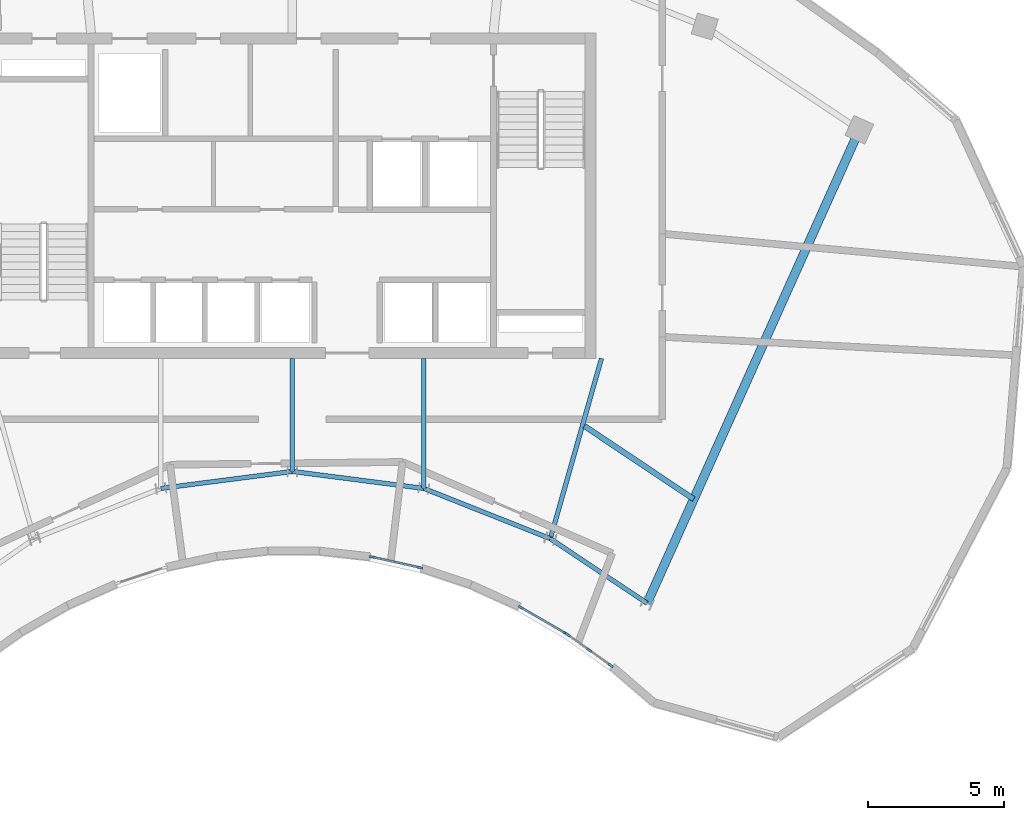
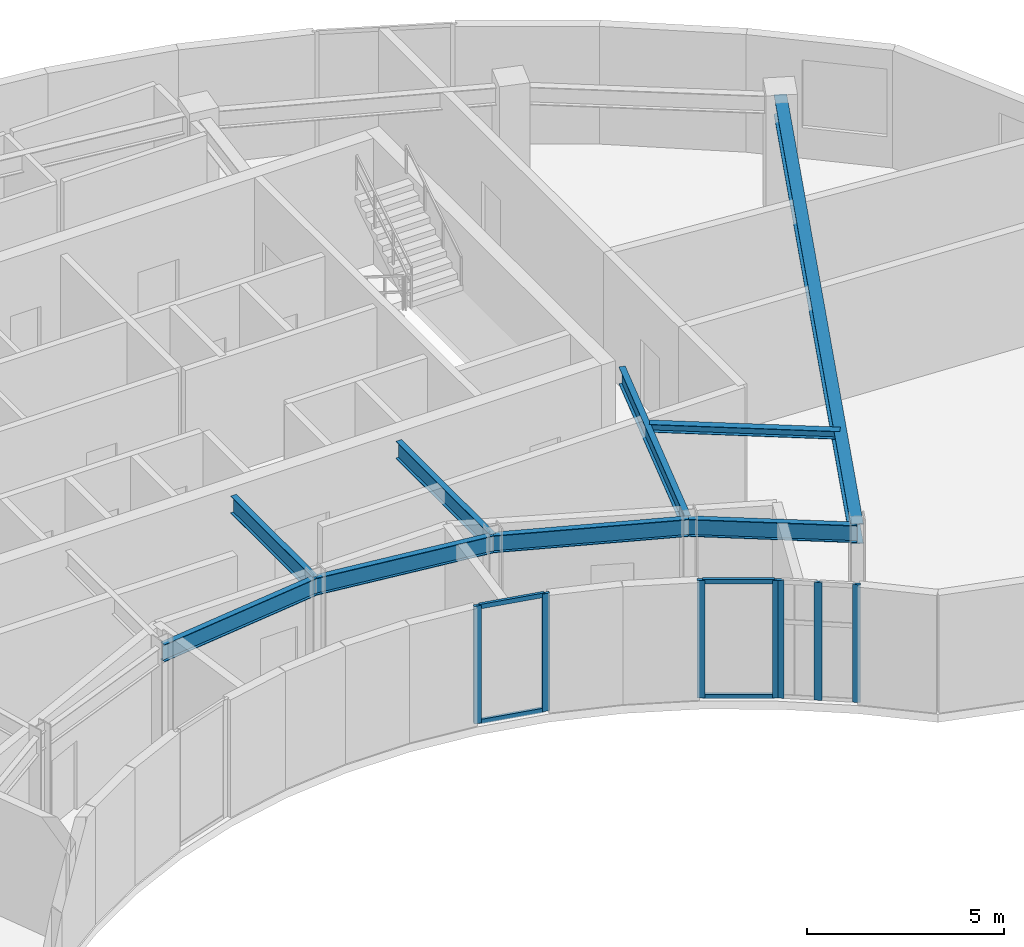
# One storey, part 3 of 12: 11 members, 9 beams, 3 elements without a shape of their own.
"""IFC4 building model written with IfcOpenShell, lengths in metres."""

from ifc_helpers import new_model, si_unit, direction, frame, origin, origin_2d, place, context, subcontext, project, spatial, rectangle, i_section, extrude, source, transform, mapped, material, layer, layer_set, material_profile, profile_set, type_object, type_shapes, element, aggregate, save


model = new_model("IFC4")

# Units and contexts
model_context = context("Model", 3, precision=1e-05, world=origin(), true_north=direction((0.0, 1.0)))
body_context = subcontext(model_context, "Body", "Model", "MODEL_VIEW")
ifc_project = project(units=[si_unit("LENGTHUNIT", "METRE"), si_unit("AREAUNIT", "SQUARE_METRE"), si_unit("VOLUMEUNIT", "CUBIC_METRE"), si_unit("PLANEANGLEUNIT", "RADIAN"), si_unit("MASSUNIT", "GRAM", prefix="KILO")], contexts=[model_context])

# Site, building, storey
site_placement = place(None, origin())
site = spatial("IfcSite", under=ifc_project, at=site_placement, CompositionType="ELEMENT")
building_placement = place(site_placement, origin())
building = spatial("IfcBuilding", under=site, at=building_placement, Name="Breltana Convention Tower", CompositionType="ELEMENT")
storey_placement = place(building_placement, frame((0.0, 0.0, 264.0)))
storey = spatial("IfcBuildingStorey", under=building, at=storey_placement, Name="L64", CompositionType="ELEMENT", Elevation=264.0)

# Beams
ifc_material_1 = material(Name="Steel ASTM A992 Grade 50", Category="steel")
ifc_material_profile_1 = material_profile(ifc_material_1, i_section(OverallWidth=0.166015625, OverallDepth=0.534912109375, WebThickness=0.01025390625, FlangeThickness=0.0166015625, at=origin_2d()), Name="W21X57")
ifc_profile_set_1 = profile_set([ifc_material_profile_1], Name="Steel ASTM A992 Grade 50")
beam_type_1 = type_object("IfcBeamType", Name="BM-BM-W21X57", PredefinedType="BEAM", material=ifc_profile_set_1)
shared_shape_1 = source(origin(), body_context, "Body", "SweptSolid", [
    extrude(i_section(OverallWidth=0.166015625, OverallDepth=0.534912109375, WebThickness=0.01025390625, FlangeThickness=0.0166015625, at=origin_2d()), origin(), (0.0, 0.0, 1.0), 6.904541015625),
])
type_shapes(beam_type_1, [shared_shape_1])
beam_1_placement = place(storey_placement, frame((59.39990234375, 60.199951171875, 3.382568359375), z_axis=(-0.273006781054, -0.962012108811, 0.0), x_axis=(0.962012108811, -0.273006781054, 0.0)))
element("IfcBeam", 1, at=beam_1_placement, inside=storey, type_object=beam_type_1, Name="L64 South Core Tie Girder R08", PredefinedType="BEAM", context=body_context, shape_type="MappedRepresentation", body=[
    mapped(shared_shape_1, transform((0.0, 0.0, 0.0), scale=1.0)),
])
shared_shape_2 = source(origin(), body_context, "Body", "SweptSolid", [
    extrude(i_section(OverallWidth=0.166015625, OverallDepth=0.534912109375, WebThickness=0.01025390625, FlangeThickness=0.0166015625, at=origin_2d()), origin(), (0.0, 0.0, 1.0), 4.789306640625),
])
beam_2_placement = place(storey_placement, frame((52.846435546875, 60.199951171875, 3.382568359375), z_axis=(0.0, -1.0, 0.0), x_axis=(1.0, 0.0, 0.0)))
element("IfcBeam", 2, at=beam_2_placement, inside=storey, type_object=beam_type_1, Name="L64 South Core Tie Girder R07", PredefinedType="BEAM", context=body_context, shape_type="MappedRepresentation", body=[
    mapped(shared_shape_2, transform((0.0, 0.0, 0.0), scale=1.0)),
])
shared_shape_3 = source(origin(), body_context, "Body", "SweptSolid", [
    extrude(i_section(OverallWidth=0.166015625, OverallDepth=0.534912109375, WebThickness=0.01025390625, FlangeThickness=0.0166015625, at=origin_2d()), origin(), (0.0, 0.0, 1.0), 4.1640625),
])
beam_3_placement = place(storey_placement, frame((48.0, 60.199951171875, 3.382568359375), z_axis=(0.0, -1.0, 0.0), x_axis=(1.0, 0.0, 0.0)))
element("IfcBeam", 3, at=beam_3_placement, inside=storey, type_object=beam_type_1, Name="L64 South Core Tie Girder R06", PredefinedType="BEAM", context=body_context, shape_type="MappedRepresentation", body=[
    mapped(shared_shape_3, transform((0.0, 0.0, 0.0), scale=1.0)),
])
shared_shape_4 = source(origin(), body_context, "Body", "SweptSolid", [
    extrude(i_section(OverallWidth=0.166015625, OverallDepth=0.534912109375, WebThickness=0.01025390625, FlangeThickness=0.0166015625, at=origin_2d()), origin(), (0.0, 0.0, 1.0), 5.022705078125),
])
beam_4_placement = place(storey_placement, frame((52.846435546875, 55.41064453125, 3.382568359375), z_axis=(0.929458966248, -0.368925507469, 0.0), x_axis=(0.368925507469, 0.929458966248, 0.0)))
element("IfcBeam", 4, at=beam_4_placement, inside=storey, type_object=beam_type_1, Name="L64 Inner Ring Beam 07", PredefinedType="BEAM", context=body_context, shape_type="MappedRepresentation", body=[
    mapped(shared_shape_4, transform((0.0, 0.0, 0.0), scale=1.0)),
])
shared_shape_5 = source(origin(), body_context, "Body", "SweptSolid", [
    extrude(i_section(OverallWidth=0.166015625, OverallDepth=0.534912109375, WebThickness=0.01025390625, FlangeThickness=0.0166015625, at=origin_2d()), origin(), (0.0, 0.0, 1.0), 4.88671875),
])
for number, where, z_axis, x_axis, name in (
    (5, (43.153564453125, 55.41064453125, 3.382568359375), (0.991780525565, 0.127950729231, 0.0), (-0.127950729231, 0.991780525565, 0.0), "L64 Inner Ring Beam 05"),
    (6, (48.0, 56.035888671875, 3.382568359375), (0.991780525565, -0.127950729231, 0.0), (0.127950729231, 0.991780525565, 0.0), "L64 Inner Ring Beam 06"),
):
    element("IfcBeam", number, at=place(storey_placement, frame(where, z_axis=z_axis, x_axis=x_axis)), inside=storey, type_object=beam_type_1, Name=name, PredefinedType="BEAM", context=body_context, shape_type="MappedRepresentation", body=[
        mapped(shared_shape_5, transform((0.0, 0.0, 0.0), scale=1.0)),
    ])
shared_shape_6 = source(origin(), body_context, "Body", "SweptSolid", [
    extrude(i_section(OverallWidth=0.166015625, OverallDepth=0.534912109375, WebThickness=0.01025390625, FlangeThickness=0.0166015625, at=origin_2d()), origin(), (0.0, 0.0, 1.0), 4.2900390625),
])
beam_5_placement = place(storey_placement, frame((57.514892578125, 53.5576171875, 3.382568359375), z_axis=(0.831515827753, -0.555501060482, 0.0), x_axis=(0.555501060482, 0.831515827753, 0.0)))
element("IfcBeam", 7, at=beam_5_placement, inside=storey, type_object=beam_type_1, Name="L64 Inner Ring Beam 08", PredefinedType="BEAM", context=body_context, shape_type="MappedRepresentation", body=[
    mapped(shared_shape_6, transform((0.0, 0.0, 0.0), scale=1.0)),
])
ifc_material_profile_2 = material_profile(ifc_material_1, i_section(OverallWidth=0.201904296875, OverallDepth=0.2470703125, WebThickness=0.00732421875, FlangeThickness=0.010986328125, at=origin_2d()), Name="W10X33")
ifc_profile_set_2 = profile_set([ifc_material_profile_2], Name="Steel ASTM A992 Grade 50")
beam_type_2 = type_object("IfcBeamType", Name="BM-JSG-11", PredefinedType="JOIST", material=ifc_profile_set_2)
shared_shape_7 = source(origin(), body_context, "Body", "SweptSolid", [
    extrude(i_section(OverallWidth=0.201904296875, OverallDepth=0.2470703125, WebThickness=0.00732421875, FlangeThickness=0.010986328125, at=origin_2d()), origin(), (0.0, 0.0, 1.0), 4.854736328125),
])
beam_6_placement = place(storey_placement, frame((58.767578125, 57.71240234375, 3.526611328125), z_axis=(0.831485074305, -0.555547091801, 0.0), x_axis=(0.555547091801, 0.831485074305, 0.0)))
element("IfcBeam", 8, at=beam_6_placement, inside=storey, type_object=beam_type_2, Name="L64 Composite Floor Joist 08.1", PredefinedType="JOIST", context=body_context, shape_type="MappedRepresentation", body=[
    mapped(shared_shape_7, transform((0.0, 0.0, 0.0), scale=1.0)),
])
ifc_material_profile_3 = material_profile(ifc_material_1, i_section(OverallWidth=0.326904296875, OverallDepth=0.6220703125, WebThickness=0.015380859375, FlangeThickness=0.0244140625, at=origin_2d()), Name="W24X131")
ifc_profile_set_3 = profile_set([ifc_material_profile_3], Name="Steel ASTM A992 Grade 50")
beam_type_3 = type_object("IfcBeamType", Name="BM-RG-W24X131", PredefinedType="USERDEFINED", material=ifc_profile_set_3)
shared_shape_8 = source(origin(), body_context, "Body", "SweptSolid", [
    extrude(i_section(OverallWidth=0.326904296875, OverallDepth=0.6220703125, WebThickness=0.015380859375, FlangeThickness=0.0244140625, at=origin_2d()), origin(), (0.0, 0.0, 1.0), 19.133544921875),
])
beam_7_placement = place(storey_placement, frame((61.08203125, 51.174560546875, 3.339111328125), z_axis=(0.409144564164, 0.912469575172, 0.0), x_axis=(-0.912469575172, 0.409144564164, 0.0)))
element("IfcBeam", 9, at=beam_7_placement, inside=storey, type_object=beam_type_3, Name="L64 Radial Floor Girder R09", ObjectType="GIRDER", PredefinedType="USERDEFINED", context=body_context, shape_type="MappedRepresentation", body=[
    mapped(shared_shape_8, transform((0.0, 0.0, 0.0), scale=1.0)),
])

# Curtain wall, members
ifc_material_2 = material(Name="Aluminium Anodised Bronze Frame", Category="aluminium")
ifc_layer = layer(ifc_material_2, 0.18994140625, Name="Aluminium Anodised Bronze Frame")
ifc_layer_set = layer_set([ifc_layer], Name="Aluminium Anodised Bronze Frame")
curtain_wall_type = type_object("IfcCurtainWallType", Name="CW-SYS-1", PredefinedType="NOTDEFINED", material=ifc_layer_set)
curtain_wall_1_placement = place(storey_placement, origin())
curtain_wall_1 = element("IfcCurtainWall", 10, at=curtain_wall_1_placement, inside=storey, type_object=curtain_wall_type, Name="L64 inner south-court glazing 1", PredefinedType="NOTDEFINED")
ifc_material_3 = material(Name="Aluminium Anodised Bronze", Category="aluminium")
ifc_material_profile_4 = material_profile(ifc_material_3, rectangle(XDim=0.080078125, YDim=0.199951171875, at=origin_2d()), Name="CWM-80X200")
ifc_profile_set_4 = profile_set([ifc_material_profile_4], Name="Aluminium Anodised Bronze")
member_type_1 = type_object("IfcMemberType", Name="CWM-200", PredefinedType="MULLION", material=ifc_profile_set_4)
shared_shape_9 = source(origin(), body_context, "Body", "SweptSolid", [
    extrude(rectangle(XDim=0.080078125, YDim=0.199951171875, at=origin_2d()), origin(), (0.0, 0.0, 1.0), 3.64990234375),
])
member_1_placement = place(storey_placement, frame((59.743896484375, 48.881591796875, 0.0), z_axis=(0.0, 0.0, 1.0), x_axis=(-0.58065619198, -0.814148872575, 0.0)))
member_1 = element("IfcMember", 11, at=member_1_placement, type_object=member_type_1, Name="CW-01 mullion 1", PredefinedType="MULLION", context=body_context, shape_type="MappedRepresentation", body=[
    mapped(shared_shape_9, transform((0.0, 0.0, 0.0), scale=1.0)),
])
member_2_placement = place(storey_placement, frame((58.94921875, 49.448486328125, 0.0), z_axis=(0.0, 0.0, 1.0), x_axis=(-0.58065619198, -0.814148872575, 0.0)))
member_2 = element("IfcMember", 12, at=member_2_placement, type_object=member_type_1, Name="CW-01 mullion 2", PredefinedType="MULLION", context=body_context, shape_type="MappedRepresentation", body=[
    mapped(shared_shape_9, transform((0.0, 0.0, 0.0), scale=1.0)),
])
member_3_placement = place(storey_placement, frame((58.154541015625, 50.01513671875, 0.0), z_axis=(0.0, 0.0, 1.0), x_axis=(-0.58065619198, -0.814148872575, 0.0)))
member_3 = element("IfcMember", 13, at=member_3_placement, type_object=member_type_1, Name="CW-01 mullion 3", PredefinedType="MULLION", context=body_context, shape_type="MappedRepresentation", body=[
    mapped(shared_shape_9, transform((0.0, 0.0, 0.0), scale=1.0)),
])
aggregate(curtain_wall_1, [member_1, member_2, member_3])

curtain_wall_2_placement = place(storey_placement, origin())
curtain_wall_2 = element("IfcCurtainWall", 14, at=curtain_wall_2_placement, inside=storey, type_object=curtain_wall_type, Name="L64 inner south-court glazing 2", PredefinedType="NOTDEFINED")
member_4_placement = place(storey_placement, frame((58.072998046875, 50.067626953125, 0.0), z_axis=(0.0, 0.0, 1.0), x_axis=(-0.501216684434, -0.865321810221, 0.0)))
member_4 = element("IfcMember", 15, at=member_4_placement, type_object=member_type_1, Name="CW-01 mullion 1", PredefinedType="MULLION", context=body_context, shape_type="MappedRepresentation", body=[
    mapped(shared_shape_9, transform((0.0, 0.0, 0.0), scale=1.0)),
])
member_5_placement = place(storey_placement, frame((56.421875, 51.024169921875, 0.0), z_axis=(0.0, 0.0, 1.0), x_axis=(-0.501216684434, -0.865321810221, 0.0)))
member_5 = element("IfcMember", 16, at=member_5_placement, type_object=member_type_1, Name="CW-01 mullion 2", PredefinedType="MULLION", context=body_context, shape_type="MappedRepresentation", body=[
    mapped(shared_shape_9, transform((0.0, 0.0, 0.0), scale=1.0)),
])

curtain_wall_3_placement = place(storey_placement, origin())
curtain_wall_3 = element("IfcCurtainWall", 17, at=curtain_wall_3_placement, inside=storey, type_object=curtain_wall_type, Name="L64 inner south-court glazing 3", PredefinedType="NOTDEFINED")
member_6_placement = place(storey_placement, frame((52.7041015625, 52.48974609375, 0.0), z_axis=(0.0, 0.0, 1.0), x_axis=(-0.217098160332, -0.976149777842, 0.0)))
member_6 = element("IfcMember", 18, at=member_6_placement, type_object=member_type_1, Name="CW-01 mullion 1", PredefinedType="MULLION", context=body_context, shape_type="MappedRepresentation", body=[
    mapped(shared_shape_9, transform((0.0, 0.0, 0.0), scale=1.0)),
])
member_7_placement = place(storey_placement, frame((50.933349609375, 52.883544921875, 0.0), z_axis=(0.0, 0.0, 1.0), x_axis=(-0.217098160332, -0.976149777842, 0.0)))
member_7 = element("IfcMember", 19, at=member_7_placement, type_object=member_type_1, Name="CW-01 mullion 2", PredefinedType="MULLION", context=body_context, shape_type="MappedRepresentation", body=[
    mapped(shared_shape_9, transform((0.0, 0.0, 0.0), scale=1.0)),
])

# Member
ifc_material_profile_5 = material_profile(ifc_material_3, rectangle(XDim=0.080078125, YDim=0.139892578125, at=origin_2d()), Name="CWT-80X140")
ifc_profile_set_5 = profile_set([ifc_material_profile_5], Name="Aluminium Anodised Bronze")
member_type_2 = type_object("IfcMemberType", Name="CWT-140", PredefinedType="USERDEFINED", material=ifc_profile_set_5)
shared_shape_10 = source(origin(), body_context, "Body", "SweptSolid", [
    extrude(rectangle(XDim=0.080078125, YDim=0.139892578125, at=origin_2d()), origin(), (0.0, 0.0, 1.0), 1.828125),
])
member_8_placement = place(storey_placement, frame((58.03857421875, 50.087890625, 0.0400390625), z_axis=(-0.865343988334, 0.501178393243, 0.0), x_axis=(-0.501178393243, -0.865343988334, 0.0)))
member_8 = element("IfcMember", 20, at=member_8_placement, type_object=member_type_2, Name="CW-01 transom 1.1", ObjectType="TRANSOM", PredefinedType="USERDEFINED", context=body_context, shape_type="MappedRepresentation", body=[
    mapped(shared_shape_10, transform((0.0, 0.0, 0.0), scale=1.0)),
])

member_9_placement = place(storey_placement, frame((58.03857421875, 50.087890625, 3.610107421875), z_axis=(-0.865343988334, 0.501178393243, 0.0), x_axis=(-0.501178393243, -0.865343988334, 0.0)))
member_9 = element("IfcMember", 21, at=member_9_placement, type_object=member_type_2, Name="CW-01 transom 1.2", ObjectType="TRANSOM", PredefinedType="USERDEFINED", context=body_context, shape_type="MappedRepresentation", body=[
    mapped(shared_shape_10, transform((0.0, 0.0, 0.0), scale=1.0)),
])

aggregate(curtain_wall_2, [member_4, member_5, member_8, member_9])

shared_shape_11 = source(origin(), body_context, "Body", "SweptSolid", [
    extrude(rectangle(XDim=0.080078125, YDim=0.139892578125, at=origin_2d()), origin(), (0.0, 0.0, 1.0), 1.73388671875),
])
member_10_placement = place(storey_placement, frame((52.6650390625, 52.49853515625, 0.0400390625), z_axis=(-0.976147289276, 0.217109349497, 0.0), x_axis=(-0.217109349497, -0.976147289276, 0.0)))
member_10 = element("IfcMember", 22, at=member_10_placement, type_object=member_type_2, Name="CW-01 transom 1.1", ObjectType="TRANSOM", PredefinedType="USERDEFINED", context=body_context, shape_type="MappedRepresentation", body=[
    mapped(shared_shape_11, transform((0.0, 0.0, 0.0), scale=1.0)),
])

member_11_placement = place(storey_placement, frame((52.6650390625, 52.49853515625, 3.610107421875), z_axis=(-0.976147289276, 0.217109349497, 0.0), x_axis=(-0.217109349497, -0.976147289276, 0.0)))
member_11 = element("IfcMember", 23, at=member_11_placement, type_object=member_type_2, Name="CW-01 transom 1.2", ObjectType="TRANSOM", PredefinedType="USERDEFINED", context=body_context, shape_type="MappedRepresentation", body=[
    mapped(shared_shape_11, transform((0.0, 0.0, 0.0), scale=1.0)),
])

aggregate(curtain_wall_3, [member_6, member_7, member_10, member_11])

save(model, "model.ifc")
